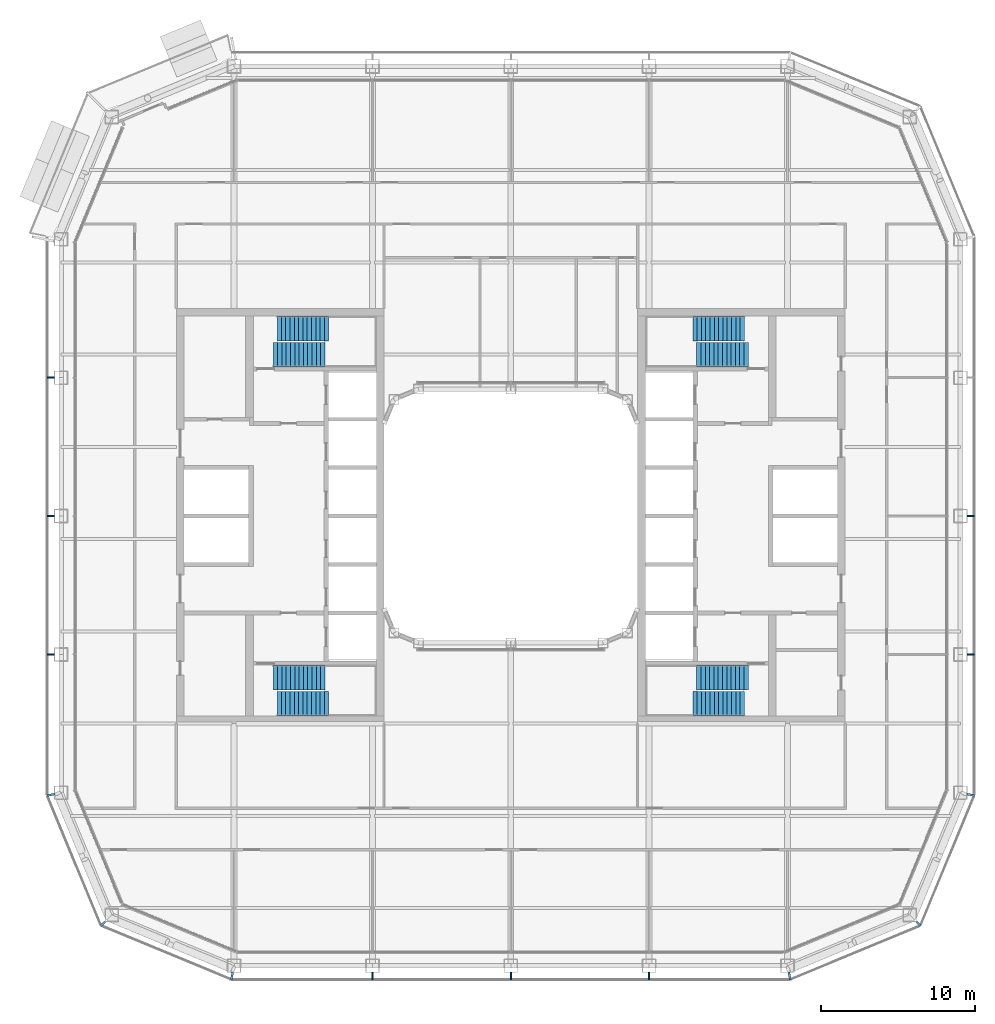
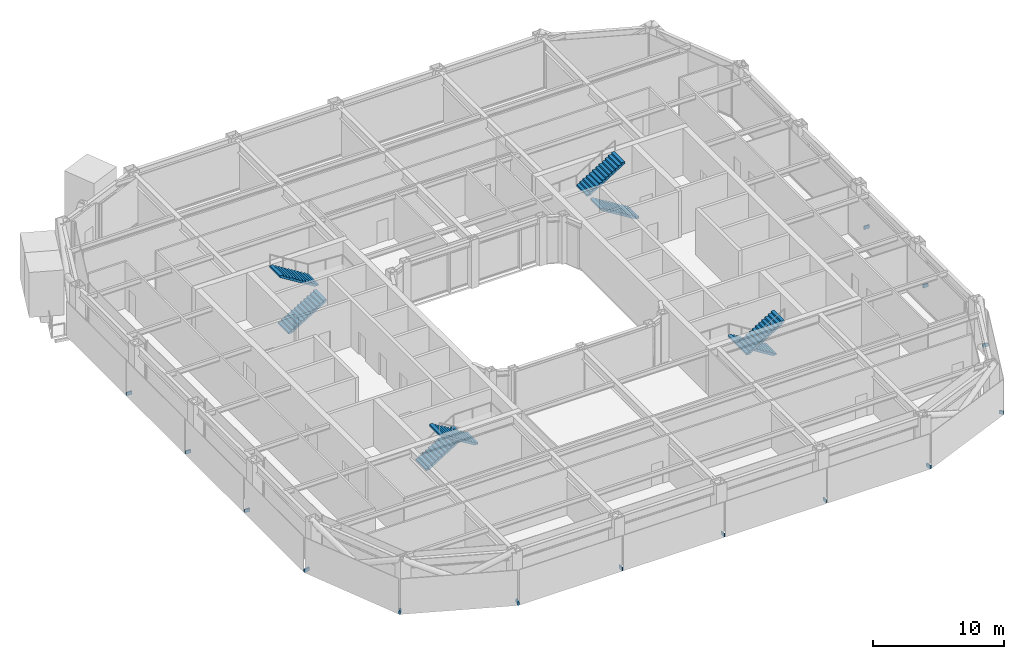
# One storey, part 15 of 23: 14 discrete accessories, 8 stair flights, 4 elements without a shape of their own.
"""IFC4 building model written with IfcOpenShell, lengths in metres."""

from ifc_helpers import new_model, si_unit, direction, frame, origin, origin_2d, place, context, subcontext, project, spatial, polyline, rectangle, outline, extrude, material, type_object, element, aggregate, save


model = new_model("IFC4")

# Units and contexts
model_context = context("Model", 3, precision=1e-05, world=origin(), true_north=direction((0.0, 1.0)))
body_context = subcontext(model_context, "Body", "Model", "MODEL_VIEW")
ifc_project = project(units=[si_unit("LENGTHUNIT", "METRE"), si_unit("AREAUNIT", "SQUARE_METRE"), si_unit("VOLUMEUNIT", "CUBIC_METRE"), si_unit("PLANEANGLEUNIT", "RADIAN"), si_unit("MASSUNIT", "GRAM", prefix="KILO")], contexts=[model_context])

# Site, building, storey
site_placement = place(None, origin())
site = spatial("IfcSite", under=ifc_project, at=site_placement, CompositionType="ELEMENT")
building_placement = place(site_placement, origin())
building = spatial("IfcBuilding", under=site, at=building_placement, Name="Siwar Civic Tower", CompositionType="ELEMENT")
storey_placement = place(building_placement, frame((0.0, 0.0, 172.199951171875)))
storey = spatial("IfcBuildingStorey", under=building, at=storey_placement, Name="L37", CompositionType="ELEMENT", Elevation=172.199951171875)

# Stair, stair flights
ifc_material_1 = material(Name="Concrete C40/50", Category="concrete")
stair_type = type_object("IfcStairType", Name="CORE-STAIR", PredefinedType="TWO_STRAIGHT_RUN_STAIR", material=ifc_material_1)
stair_1_placement = place(storey_placement, origin())
stair_1 = element("IfcStair", 1, at=stair_1_placement, inside=storey, type_object=stair_type, Name="Exit stair ST1", PredefinedType="TWO_STRAIGHT_RUN_STAIR")
ifc_material_2 = material(Name="Concrete C40/50", Category="concrete")
stair_flight_type = type_object("IfcStairFlightType", Name="CORE-STAIR-FLIGHT", PredefinedType="STRAIGHT", material=ifc_material_2)
stair_flight_1_placement = place(storey_placement, frame((-15.449951171875, 10.5, 0.0), z_axis=(0.0, 0.0, 1.0), x_axis=(1.0, 0.0, 0.0)))
stair_flight_1 = element("IfcStairFlight", 2, at=stair_flight_1_placement, type_object=stair_flight_type, Name="ST1 flight 1", NumberOfRisers=13, NumberOfTreads=12, PredefinedType="STRAIGHT", RiserHeight=0.173076923, TreadLength=0.28, context=body_context, shape_type="SweptSolid", body=[
    extrude(outline(polyline([(0.0, 0.0), (0.0, 0.173095703125), (0.280029296875, 0.173095703125), (0.280029296875, 0.34619140625), (0.56005859375, 0.34619140625), (0.56005859375, 0.519287109375), (0.840087890625, 0.519287109375), (0.840087890625, 0.6923828125), (1.1201171875, 0.6923828125), (1.1201171875, 0.865478515625), (1.39990234375, 0.865478515625), (1.39990234375, 1.03857421875), (1.679931640625, 1.03857421875), (1.679931640625, 1.21142578125), (1.9599609375, 1.21142578125), (1.9599609375, 1.384521484375), (2.239990234375, 1.384521484375), (2.239990234375, 1.5576171875), (2.52001953125, 1.5576171875), (2.52001953125, 1.730712890625), (2.800048828125, 1.730712890625), (2.800048828125, 1.90380859375), (3.080078125, 1.90380859375), (3.080078125, 2.076904296875), (3.360107421875, 2.076904296875), (3.360107421875, 2.25), (3.360107421875, 1.900634765625), (0.28515625, 0.0), (0.0, 0.0)])), frame((0.0, 0.800048828125, 0.0), z_axis=(0.0, -1.0, 0.0), x_axis=(1.0, 0.0, 0.0)), (0.0, 0.0, 1.0), 1.60009765625),
])
stair_flight_2_placement = place(storey_placement, frame((-11.840087890625, 12.199951171875, 2.25), z_axis=(0.0, 0.0, 1.0), x_axis=(-1.0, 0.0, 0.0)))
stair_flight_2 = element("IfcStairFlight", 3, at=stair_flight_2_placement, type_object=stair_flight_type, Name="ST1 flight 2", NumberOfRisers=13, NumberOfTreads=12, PredefinedType="STRAIGHT", RiserHeight=0.173076923, TreadLength=0.28, context=body_context, shape_type="SweptSolid", body=[
    extrude(outline(polyline([(0.0, 0.0), (0.0, 0.173095703125), (0.280029296875, 0.173095703125), (0.280029296875, 0.34619140625), (0.56005859375, 0.34619140625), (0.56005859375, 0.519287109375), (0.840087890625, 0.519287109375), (0.840087890625, 0.6923828125), (1.1201171875, 0.6923828125), (1.1201171875, 0.865478515625), (1.39990234375, 0.865478515625), (1.39990234375, 1.03857421875), (1.679931640625, 1.03857421875), (1.679931640625, 1.21142578125), (1.9599609375, 1.21142578125), (1.9599609375, 1.384521484375), (2.239990234375, 1.384521484375), (2.239990234375, 1.5576171875), (2.52001953125, 1.5576171875), (2.52001953125, 1.730712890625), (2.800048828125, 1.730712890625), (2.800048828125, 1.90380859375), (3.080078125, 1.90380859375), (3.080078125, 2.076904296875), (3.360107421875, 2.076904296875), (3.360107421875, 2.25), (3.360107421875, 1.900634765625), (0.28515625, 0.0), (0.0, 0.0)])), frame((0.0, 0.800048828125, 0.0), z_axis=(0.0, -1.0, 0.0), x_axis=(1.0, 0.0, 0.0)), (0.0, 0.0, 1.0), 1.60009765625),
])
aggregate(stair_1, [stair_flight_1, stair_flight_2])

stair_2_placement = place(storey_placement, origin())
stair_2 = element("IfcStair", 4, at=stair_2_placement, inside=storey, type_object=stair_type, Name="Exit stair ST2", PredefinedType="TWO_STRAIGHT_RUN_STAIR")
stair_flight_3_placement = place(storey_placement, frame((-15.449951171875, -10.5, 0.0), z_axis=(0.0, 0.0, 1.0), x_axis=(1.0, 0.0, 0.0)))
stair_flight_3 = element("IfcStairFlight", 5, at=stair_flight_3_placement, type_object=stair_flight_type, Name="ST2 flight 1", NumberOfRisers=13, NumberOfTreads=12, PredefinedType="STRAIGHT", RiserHeight=0.173076923, TreadLength=0.28, context=body_context, shape_type="SweptSolid", body=[
    extrude(outline(polyline([(0.0, 0.0), (0.0, 0.173095703125), (0.280029296875, 0.173095703125), (0.280029296875, 0.34619140625), (0.56005859375, 0.34619140625), (0.56005859375, 0.519287109375), (0.840087890625, 0.519287109375), (0.840087890625, 0.6923828125), (1.1201171875, 0.6923828125), (1.1201171875, 0.865478515625), (1.39990234375, 0.865478515625), (1.39990234375, 1.03857421875), (1.679931640625, 1.03857421875), (1.679931640625, 1.21142578125), (1.9599609375, 1.21142578125), (1.9599609375, 1.384521484375), (2.239990234375, 1.384521484375), (2.239990234375, 1.5576171875), (2.52001953125, 1.5576171875), (2.52001953125, 1.730712890625), (2.800048828125, 1.730712890625), (2.800048828125, 1.90380859375), (3.080078125, 1.90380859375), (3.080078125, 2.076904296875), (3.360107421875, 2.076904296875), (3.360107421875, 2.25), (3.360107421875, 1.900634765625), (0.28515625, 0.0), (0.0, 0.0)])), frame((0.0, 0.800048828125, 0.0), z_axis=(0.0, -1.0, 0.0), x_axis=(1.0, 0.0, 0.0)), (0.0, 0.0, 1.0), 1.60009765625),
])
stair_flight_4_placement = place(storey_placement, frame((-11.840087890625, -12.199951171875, 2.25), z_axis=(0.0, 0.0, 1.0), x_axis=(-1.0, 0.0, 0.0)))
stair_flight_4 = element("IfcStairFlight", 6, at=stair_flight_4_placement, type_object=stair_flight_type, Name="ST2 flight 2", NumberOfRisers=13, NumberOfTreads=12, PredefinedType="STRAIGHT", RiserHeight=0.173076923, TreadLength=0.28, context=body_context, shape_type="SweptSolid", body=[
    extrude(outline(polyline([(0.0, 0.0), (0.0, 0.173095703125), (0.280029296875, 0.173095703125), (0.280029296875, 0.34619140625), (0.56005859375, 0.34619140625), (0.56005859375, 0.519287109375), (0.840087890625, 0.519287109375), (0.840087890625, 0.6923828125), (1.1201171875, 0.6923828125), (1.1201171875, 0.865478515625), (1.39990234375, 0.865478515625), (1.39990234375, 1.03857421875), (1.679931640625, 1.03857421875), (1.679931640625, 1.21142578125), (1.9599609375, 1.21142578125), (1.9599609375, 1.384521484375), (2.239990234375, 1.384521484375), (2.239990234375, 1.5576171875), (2.52001953125, 1.5576171875), (2.52001953125, 1.730712890625), (2.800048828125, 1.730712890625), (2.800048828125, 1.90380859375), (3.080078125, 1.90380859375), (3.080078125, 2.076904296875), (3.360107421875, 2.076904296875), (3.360107421875, 2.25), (3.360107421875, 1.900634765625), (0.28515625, 0.0), (0.0, 0.0)])), frame((0.0, 0.800048828125, 0.0), z_axis=(0.0, -1.0, 0.0), x_axis=(1.0, 0.0, 0.0)), (0.0, 0.0, 1.0), 1.60009765625),
])
aggregate(stair_2, [stair_flight_3, stair_flight_4])

stair_3_placement = place(storey_placement, origin())
stair_3 = element("IfcStair", 7, at=stair_3_placement, inside=storey, type_object=stair_type, Name="Exit stair ST3", PredefinedType="TWO_STRAIGHT_RUN_STAIR")
stair_flight_5_placement = place(storey_placement, frame((15.449951171875, 10.5, 0.0), z_axis=(0.0, 0.0, 1.0), x_axis=(-1.0, 0.0, 0.0)))
stair_flight_5 = element("IfcStairFlight", 8, at=stair_flight_5_placement, type_object=stair_flight_type, Name="ST3 flight 1", NumberOfRisers=13, NumberOfTreads=12, PredefinedType="STRAIGHT", RiserHeight=0.173076923, TreadLength=0.28, context=body_context, shape_type="SweptSolid", body=[
    extrude(outline(polyline([(0.0, 0.0), (0.0, 0.173095703125), (0.280029296875, 0.173095703125), (0.280029296875, 0.34619140625), (0.56005859375, 0.34619140625), (0.56005859375, 0.519287109375), (0.840087890625, 0.519287109375), (0.840087890625, 0.6923828125), (1.1201171875, 0.6923828125), (1.1201171875, 0.865478515625), (1.39990234375, 0.865478515625), (1.39990234375, 1.03857421875), (1.679931640625, 1.03857421875), (1.679931640625, 1.21142578125), (1.9599609375, 1.21142578125), (1.9599609375, 1.384521484375), (2.239990234375, 1.384521484375), (2.239990234375, 1.5576171875), (2.52001953125, 1.5576171875), (2.52001953125, 1.730712890625), (2.800048828125, 1.730712890625), (2.800048828125, 1.90380859375), (3.080078125, 1.90380859375), (3.080078125, 2.076904296875), (3.360107421875, 2.076904296875), (3.360107421875, 2.25), (3.360107421875, 1.900634765625), (0.28515625, 0.0), (0.0, 0.0)])), frame((0.0, 0.800048828125, 0.0), z_axis=(0.0, -1.0, 0.0), x_axis=(1.0, 0.0, 0.0)), (0.0, 0.0, 1.0), 1.60009765625),
])
stair_flight_6_placement = place(storey_placement, frame((11.840087890625, 12.199951171875, 2.25), z_axis=(0.0, 0.0, 1.0), x_axis=(1.0, 0.0, 0.0)))
stair_flight_6 = element("IfcStairFlight", 9, at=stair_flight_6_placement, type_object=stair_flight_type, Name="ST3 flight 2", NumberOfRisers=13, NumberOfTreads=12, PredefinedType="STRAIGHT", RiserHeight=0.173076923, TreadLength=0.28, context=body_context, shape_type="SweptSolid", body=[
    extrude(outline(polyline([(0.0, 0.0), (0.0, 0.173095703125), (0.280029296875, 0.173095703125), (0.280029296875, 0.34619140625), (0.56005859375, 0.34619140625), (0.56005859375, 0.519287109375), (0.840087890625, 0.519287109375), (0.840087890625, 0.6923828125), (1.1201171875, 0.6923828125), (1.1201171875, 0.865478515625), (1.39990234375, 0.865478515625), (1.39990234375, 1.03857421875), (1.679931640625, 1.03857421875), (1.679931640625, 1.21142578125), (1.9599609375, 1.21142578125), (1.9599609375, 1.384521484375), (2.239990234375, 1.384521484375), (2.239990234375, 1.5576171875), (2.52001953125, 1.5576171875), (2.52001953125, 1.730712890625), (2.800048828125, 1.730712890625), (2.800048828125, 1.90380859375), (3.080078125, 1.90380859375), (3.080078125, 2.076904296875), (3.360107421875, 2.076904296875), (3.360107421875, 2.25), (3.360107421875, 1.900634765625), (0.28515625, 0.0), (0.0, 0.0)])), frame((0.0, 0.800048828125, 0.0), z_axis=(0.0, -1.0, 0.0), x_axis=(1.0, 0.0, 0.0)), (0.0, 0.0, 1.0), 1.60009765625),
])
aggregate(stair_3, [stair_flight_5, stair_flight_6])

stair_4_placement = place(storey_placement, origin())
stair_4 = element("IfcStair", 10, at=stair_4_placement, inside=storey, type_object=stair_type, Name="Exit stair ST4", PredefinedType="TWO_STRAIGHT_RUN_STAIR")
stair_flight_7_placement = place(storey_placement, frame((15.449951171875, -10.5, 0.0), z_axis=(0.0, 0.0, 1.0), x_axis=(-1.0, 0.0, 0.0)))
stair_flight_7 = element("IfcStairFlight", 11, at=stair_flight_7_placement, type_object=stair_flight_type, Name="ST4 flight 1", NumberOfRisers=13, NumberOfTreads=12, PredefinedType="STRAIGHT", RiserHeight=0.173076923, TreadLength=0.28, context=body_context, shape_type="SweptSolid", body=[
    extrude(outline(polyline([(0.0, 0.0), (0.0, 0.173095703125), (0.280029296875, 0.173095703125), (0.280029296875, 0.34619140625), (0.56005859375, 0.34619140625), (0.56005859375, 0.519287109375), (0.840087890625, 0.519287109375), (0.840087890625, 0.6923828125), (1.1201171875, 0.6923828125), (1.1201171875, 0.865478515625), (1.39990234375, 0.865478515625), (1.39990234375, 1.03857421875), (1.679931640625, 1.03857421875), (1.679931640625, 1.21142578125), (1.9599609375, 1.21142578125), (1.9599609375, 1.384521484375), (2.239990234375, 1.384521484375), (2.239990234375, 1.5576171875), (2.52001953125, 1.5576171875), (2.52001953125, 1.730712890625), (2.800048828125, 1.730712890625), (2.800048828125, 1.90380859375), (3.080078125, 1.90380859375), (3.080078125, 2.076904296875), (3.360107421875, 2.076904296875), (3.360107421875, 2.25), (3.360107421875, 1.900634765625), (0.28515625, 0.0), (0.0, 0.0)])), frame((0.0, 0.800048828125, 0.0), z_axis=(0.0, -1.0, 0.0), x_axis=(1.0, 0.0, 0.0)), (0.0, 0.0, 1.0), 1.60009765625),
])
stair_flight_8_placement = place(storey_placement, frame((11.840087890625, -12.199951171875, 2.25), z_axis=(0.0, 0.0, 1.0), x_axis=(1.0, 0.0, 0.0)))
stair_flight_8 = element("IfcStairFlight", 12, at=stair_flight_8_placement, type_object=stair_flight_type, Name="ST4 flight 2", NumberOfRisers=13, NumberOfTreads=12, PredefinedType="STRAIGHT", RiserHeight=0.173076923, TreadLength=0.28, context=body_context, shape_type="SweptSolid", body=[
    extrude(outline(polyline([(0.0, 0.0), (0.0, 0.173095703125), (0.280029296875, 0.173095703125), (0.280029296875, 0.34619140625), (0.56005859375, 0.34619140625), (0.56005859375, 0.519287109375), (0.840087890625, 0.519287109375), (0.840087890625, 0.6923828125), (1.1201171875, 0.6923828125), (1.1201171875, 0.865478515625), (1.39990234375, 0.865478515625), (1.39990234375, 1.03857421875), (1.679931640625, 1.03857421875), (1.679931640625, 1.21142578125), (1.9599609375, 1.21142578125), (1.9599609375, 1.384521484375), (2.239990234375, 1.384521484375), (2.239990234375, 1.5576171875), (2.52001953125, 1.5576171875), (2.52001953125, 1.730712890625), (2.800048828125, 1.730712890625), (2.800048828125, 1.90380859375), (3.080078125, 1.90380859375), (3.080078125, 2.076904296875), (3.360107421875, 2.076904296875), (3.360107421875, 2.25), (3.360107421875, 1.900634765625), (0.28515625, 0.0), (0.0, 0.0)])), frame((0.0, 0.800048828125, 0.0), z_axis=(0.0, -1.0, 0.0), x_axis=(1.0, 0.0, 0.0)), (0.0, 0.0, 1.0), 1.60009765625),
])
aggregate(stair_4, [stair_flight_7, stair_flight_8])

# Discrete accessories
ifc_material_3 = material(Name="Stainless steel 316", Category="steel")
discrete_accessory_type = type_object("IfcDiscreteAccessoryType", Name="ENV-BRACKET", PredefinedType="BRACKET", material=ifc_material_3)
for number, where, z_axis, x_axis, name in (
    (13, (29.9150390625, -9.0, -0.14990234375), (0.0, 0.0, 1.0), (1.0, 0.0, 0.0), "Bracket outer skin joint E-01"),
    (14, (29.9150390625, 0.0, -0.14990234375), (0.0, 0.0, 1.0), (1.0, 0.0, 0.0), "Bracket outer skin joint E-02"),
    (15, (-9.0, -29.9150390625, -0.14990234375), (0.0, 0.0, 1.0), (0.0, -1.0, 0.0), "Bracket outer skin joint S-01"),
    (16, (0.0, -29.9150390625, -0.14990234375), (0.0, 0.0, 1.0), (0.0, -1.0, 0.0), "Bracket outer skin joint S-02"),
    (17, (9.0, -29.9150390625, -0.14990234375), (0.0, 0.0, 1.0), (0.0, -1.0, 0.0), "Bracket outer skin joint S-03"),
):
    element("IfcDiscreteAccessory", number, at=place(storey_placement, frame(where, z_axis=z_axis, x_axis=x_axis)), inside=storey, type_object=discrete_accessory_type, Name=name, PredefinedType="BRACKET", context=body_context, shape_type="SweptSolid", body=[
        extrude(rectangle(XDim=0.469970703125, YDim=0.10009765625, at=origin_2d()), origin(), (0.0, 0.0, 1.0), 0.300048828125),
    ])
for number, where, z_axis, x_axis, name in (
    (18, (-18.13232421875, -29.915283203125, -0.14990234375), (0.0, 0.0, 1.0), (-0.195090322016, -0.980785280403, 0.0), "Bracket outer skin joint V00"),
    (19, (18.13232421875, -29.915283203125, -0.14990234375), (0.0, 0.0, 1.0), (0.195090322016, -0.980785280403, 0.0), "Bracket outer skin joint V01"),
):
    element("IfcDiscreteAccessory", number, at=place(storey_placement, frame(where, z_axis=z_axis, x_axis=x_axis)), inside=storey, type_object=discrete_accessory_type, Name=name, PredefinedType="BRACKET", context=body_context, shape_type="SweptSolid", body=[
        extrude(rectangle(XDim=0.478759765625, YDim=0.13720703125, at=origin_2d()), origin(), (0.0, 0.0, 1.0), 0.300048828125),
    ])
discrete_accessory_1_placement = place(storey_placement, frame((26.517333984375, -26.517333984375, -0.14990234375), z_axis=(0.0, 0.0, 1.0), x_axis=(0.707106781187, -0.707106781187, 0.0)))
element("IfcDiscreteAccessory", 20, at=discrete_accessory_1_placement, inside=storey, type_object=discrete_accessory_type, Name="Bracket outer skin joint V02", PredefinedType="BRACKET", context=body_context, shape_type="SweptSolid", body=[
    extrude(rectangle(XDim=0.357666015625, YDim=0.12939453125, at=origin_2d()), origin(), (0.0, 0.0, 1.0), 0.300048828125),
])
for number, where, z_axis, x_axis, name in (
    (21, (29.915283203125, -18.13232421875, -0.14990234375), (0.0, 0.0, 1.0), (0.980785280403, -0.195090322016, 0.0), "Bracket outer skin joint V03"),
    (22, (-29.915283203125, -18.13232421875, -0.14990234375), (0.0, 0.0, 1.0), (-0.980785280403, -0.195090322016, 0.0), "Bracket outer skin joint V10"),
):
    element("IfcDiscreteAccessory", number, at=place(storey_placement, frame(where, z_axis=z_axis, x_axis=x_axis)), inside=storey, type_object=discrete_accessory_type, Name=name, PredefinedType="BRACKET", context=body_context, shape_type="SweptSolid", body=[
        extrude(rectangle(XDim=0.478759765625, YDim=0.13720703125, at=origin_2d()), origin(), (0.0, 0.0, 1.0), 0.300048828125),
    ])
discrete_accessory_2_placement = place(storey_placement, frame((-26.517333984375, -26.517333984375, -0.14990234375), z_axis=(0.0, 0.0, 1.0), x_axis=(-0.707106781187, -0.707106781187, 0.0)))
element("IfcDiscreteAccessory", 23, at=discrete_accessory_2_placement, inside=storey, type_object=discrete_accessory_type, Name="Bracket outer skin joint V11", PredefinedType="BRACKET", context=body_context, shape_type="SweptSolid", body=[
    extrude(rectangle(XDim=0.357666015625, YDim=0.12939453125, at=origin_2d()), origin(), (0.0, 0.0, 1.0), 0.300048828125),
])
for number, where, z_axis, x_axis, name in (
    (24, (-29.9150390625, 9.0, -0.14990234375), (0.0, 0.0, 1.0), (-1.0, 0.0, 0.0), "Bracket outer skin joint W-01"),
    (25, (-29.9150390625, 0.0, -0.14990234375), (0.0, 0.0, 1.0), (-1.0, 0.0, 0.0), "Bracket outer skin joint W-02"),
    (26, (-29.9150390625, -9.0, -0.14990234375), (0.0, 0.0, 1.0), (-1.0, 0.0, 0.0), "Bracket outer skin joint W-03"),
):
    element("IfcDiscreteAccessory", number, at=place(storey_placement, frame(where, z_axis=z_axis, x_axis=x_axis)), inside=storey, type_object=discrete_accessory_type, Name=name, PredefinedType="BRACKET", context=body_context, shape_type="SweptSolid", body=[
        extrude(rectangle(XDim=0.469970703125, YDim=0.10009765625, at=origin_2d()), origin(), (0.0, 0.0, 1.0), 0.300048828125),
    ])

save(model, "model.ifc")
